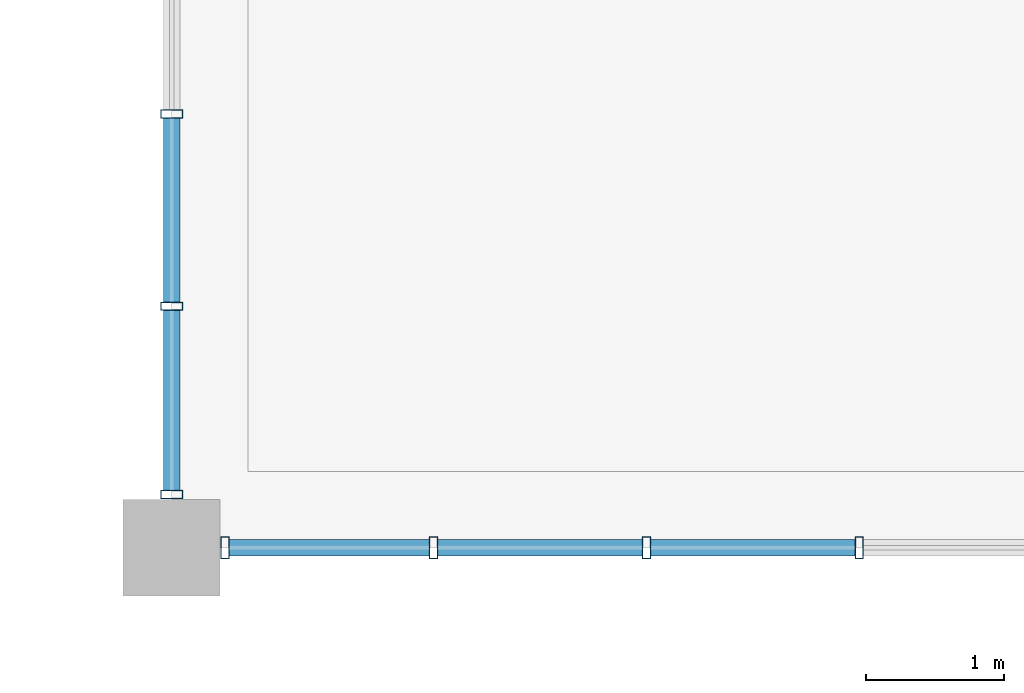
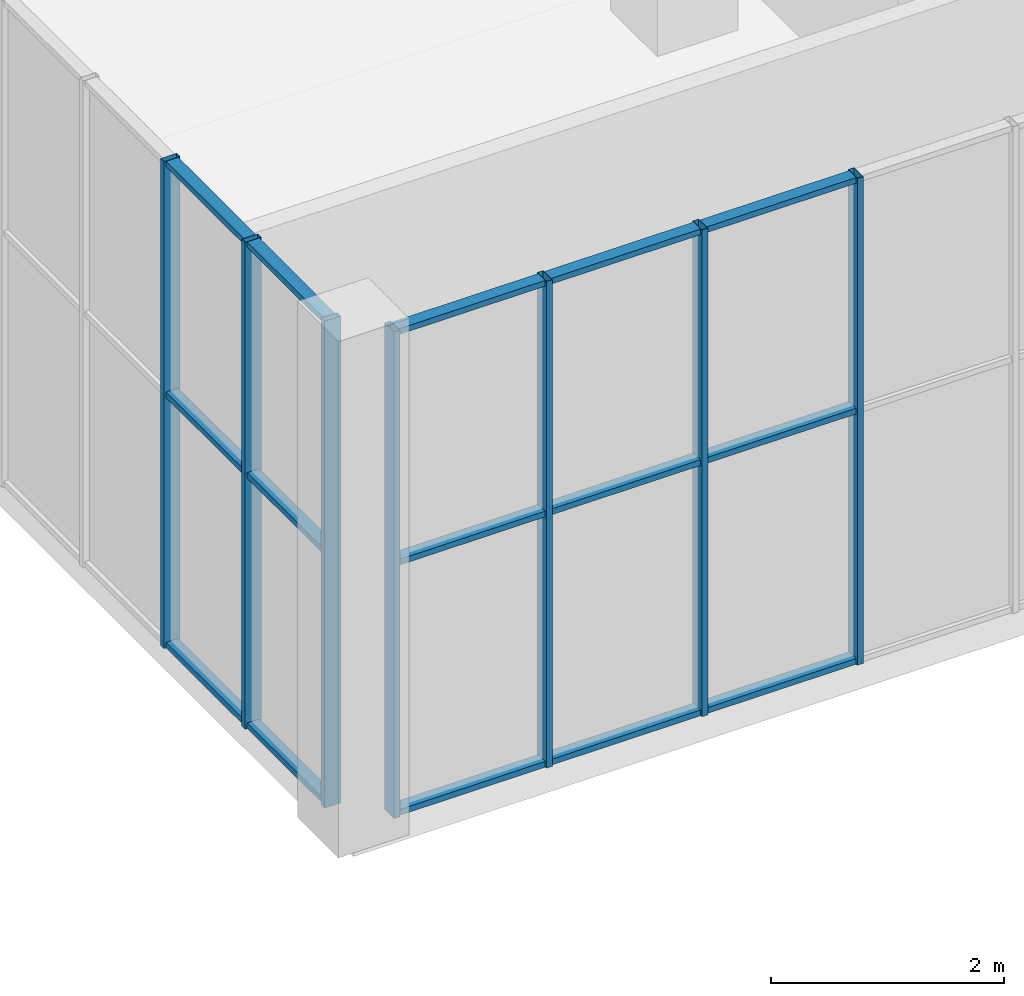
# One storey, part 39 of 91: 22 members, 2 elements without a shape of their own.
"""IFC4 building model written with IfcOpenShell, lengths in metres."""

from ifc_helpers import new_model, si_unit, direction, frame, origin, origin_2d, place, context, subcontext, project, spatial, hollow_rectangle, extrude, material, material_profile, profile_set, type_object, element, aggregate, save


model = new_model("IFC4")

# Units and contexts
model_context = context("Model", 3, precision=1e-05, world=origin(), true_north=direction((0.0, 1.0)))
body_context = subcontext(model_context, "Body", "Model", "MODEL_VIEW")
ifc_project = project(units=[si_unit("LENGTHUNIT", "METRE"), si_unit("AREAUNIT", "SQUARE_METRE"), si_unit("VOLUMEUNIT", "CUBIC_METRE"), si_unit("PLANEANGLEUNIT", "RADIAN"), si_unit("MASSUNIT", "GRAM", prefix="KILO")], contexts=[model_context])

# Site, building, storey
site_placement = place(None, origin())
site = spatial("IfcSite", under=ifc_project, at=site_placement, CompositionType="ELEMENT")
building_placement = place(site_placement, origin())
building = spatial("IfcBuilding", under=site, at=building_placement, Name="Khurvash Pelagic Aquarium", CompositionType="ELEMENT")
storey_placement = place(building_placement, origin())
storey = spatial("IfcBuildingStorey", under=building, at=storey_placement, Name="L00", CompositionType="ELEMENT", Elevation=0.0)

# Curtain wall, members
ifc_material_1 = material(Name="Anodised aluminium and low-E laminated glass", Category="aluminium")
curtain_wall_type_1 = type_object("IfcCurtainWallType", Name="CW-05", PredefinedType="USERDEFINED", material=ifc_material_1)
curtain_wall_1_placement = place(storey_placement, origin())
curtain_wall_1 = element("IfcCurtainWall", 1, at=curtain_wall_1_placement, inside=storey, type_object=curtain_wall_type_1, Name="L00 Facade Unitised Curtain Wall CW-05 0082", ObjectType="UNITISED CURTAIN WALL", PredefinedType="USERDEFINED")
ifc_material_2 = material(Name="Extruded aluminium AW-6063-T6", Category="aluminium")
ifc_material_profile_1 = material_profile(ifc_material_2, hollow_rectangle(XDim=0.06005859375, YDim=0.159912109375, WallThickness=0.00390625, at=origin_2d()), Name="CWM60X160X4")
ifc_profile_set_1 = profile_set([ifc_material_profile_1], Name="Extruded aluminium AW-6063-T6")
member_type_1 = type_object("IfcMemberType", Name="CM-02", PredefinedType="MULLION", material=ifc_profile_set_1)
member_1_placement = place(storey_placement, frame((58.800048828125, 87.18505859375, 0.0), z_axis=(0.0, 0.0, 1.0), x_axis=(0.0, -1.0, 0.0)))
member_1 = element("IfcMember", 2, at=member_1_placement, type_object=member_type_1, Name="CW-05 mullion 5", PredefinedType="MULLION", context=body_context, shape_type="SweptSolid", body=[
    extrude(hollow_rectangle(XDim=0.06005859375, YDim=0.159912109375, WallThickness=0.00390625, at=origin_2d()), origin(), (0.0, 0.0, 1.0), 5.090087890625),
])
member_2_placement = place(storey_placement, frame((58.800048828125, 85.794921875, 0.0), z_axis=(0.0, 0.0, 1.0), x_axis=(0.0, -1.0, 0.0)))
member_2 = element("IfcMember", 3, at=member_2_placement, type_object=member_type_1, Name="CW-05 mullion 6", PredefinedType="MULLION", context=body_context, shape_type="SweptSolid", body=[
    extrude(hollow_rectangle(XDim=0.06005859375, YDim=0.159912109375, WallThickness=0.00390625, at=origin_2d()), origin(), (0.0, 0.0, 1.0), 5.090087890625),
])
member_3_placement = place(storey_placement, frame((58.800048828125, 84.43505859375, 0.0), z_axis=(0.0, 0.0, 1.0), x_axis=(0.0, -1.0, 0.0)))
member_3 = element("IfcMember", 4, at=member_3_placement, type_object=member_type_1, Name="CW-05 mullion 7", PredefinedType="MULLION", context=body_context, shape_type="SweptSolid", body=[
    extrude(hollow_rectangle(XDim=0.06005859375, YDim=0.159912109375, WallThickness=0.00390625, at=origin_2d()), origin(), (0.0, 0.0, 1.0), 5.090087890625),
])

curtain_wall_type_2 = type_object("IfcCurtainWallType", Name="CW-02", PredefinedType="USERDEFINED", material=ifc_material_1)
curtain_wall_2_placement = place(storey_placement, origin())
curtain_wall_2 = element("IfcCurtainWall", 5, at=curtain_wall_2_placement, inside=storey, type_object=curtain_wall_type_2, Name="L00 Facade Unitised Curtain Wall CW-02 0083", ObjectType="UNITISED CURTAIN WALL", PredefinedType="USERDEFINED")
member_4_placement = place(storey_placement, frame((59.18505859375, 84.050048828125, 0.0), z_axis=(0.0, 0.0, 1.0), x_axis=(1.0, 0.0, 0.0)))
member_4 = element("IfcMember", 6, at=member_4_placement, type_object=member_type_1, Name="CW-02 mullion 1", PredefinedType="MULLION", context=body_context, shape_type="SweptSolid", body=[
    extrude(hollow_rectangle(XDim=0.06005859375, YDim=0.159912109375, WallThickness=0.00390625, at=origin_2d()), origin(), (0.0, 0.0, 1.0), 5.090087890625),
])
member_5_placement = place(storey_placement, frame((60.693115234375, 84.050048828125, 0.0), z_axis=(0.0, 0.0, 1.0), x_axis=(1.0, 0.0, 0.0)))
member_5 = element("IfcMember", 7, at=member_5_placement, type_object=member_type_1, Name="CW-02 mullion 2", PredefinedType="MULLION", context=body_context, shape_type="SweptSolid", body=[
    extrude(hollow_rectangle(XDim=0.06005859375, YDim=0.159912109375, WallThickness=0.00390625, at=origin_2d()), origin(), (0.0, 0.0, 1.0), 5.090087890625),
])
member_6_placement = place(storey_placement, frame((62.23095703125, 84.050048828125, 0.0), z_axis=(0.0, 0.0, 1.0), x_axis=(1.0, 0.0, 0.0)))
member_6 = element("IfcMember", 8, at=member_6_placement, type_object=member_type_1, Name="CW-02 mullion 3", PredefinedType="MULLION", context=body_context, shape_type="SweptSolid", body=[
    extrude(hollow_rectangle(XDim=0.06005859375, YDim=0.159912109375, WallThickness=0.00390625, at=origin_2d()), origin(), (0.0, 0.0, 1.0), 5.090087890625),
])
member_7_placement = place(storey_placement, frame((63.76904296875, 84.050048828125, 0.0), z_axis=(0.0, 0.0, 1.0), x_axis=(1.0, 0.0, 0.0)))
member_7 = element("IfcMember", 9, at=member_7_placement, type_object=member_type_1, Name="CW-02 mullion 4", PredefinedType="MULLION", context=body_context, shape_type="SweptSolid", body=[
    extrude(hollow_rectangle(XDim=0.06005859375, YDim=0.159912109375, WallThickness=0.00390625, at=origin_2d()), origin(), (0.0, 0.0, 1.0), 5.090087890625),
])

# Member
ifc_material_profile_2 = material_profile(ifc_material_2, hollow_rectangle(XDim=0.1201171875, YDim=0.06005859375, WallThickness=0.00390625, at=origin_2d()), Name="CWT120X60X4")
ifc_profile_set_2 = profile_set([ifc_material_profile_2], Name="Extruded aluminium AW-6063-T6")
member_type_2 = type_object("IfcMemberType", Name="CT-02", PredefinedType="USERDEFINED", material=ifc_profile_set_2)
member_8_placement = place(storey_placement, frame((58.800048828125, 87.155029296875, 0.030029296875), z_axis=(0.0, -1.0, 0.0), x_axis=(1.0, 0.0, 0.0)))
member_8 = element("IfcMember", 10, at=member_8_placement, type_object=member_type_2, Name="CW-05 transom 5.1", ObjectType="TRANSOM", PredefinedType="USERDEFINED", context=body_context, shape_type="SweptSolid", body=[
    extrude(hollow_rectangle(XDim=0.1201171875, YDim=0.06005859375, WallThickness=0.00390625, at=origin_2d()), origin(), (0.0, 0.0, 1.0), 1.330078125),
])

member_9_placement = place(storey_placement, frame((58.800048828125, 87.155029296875, 2.64697265625), z_axis=(0.0, -1.0, 0.0), x_axis=(1.0, 0.0, 0.0)))
member_9 = element("IfcMember", 11, at=member_9_placement, type_object=member_type_2, Name="CW-05 transom 5.2", ObjectType="TRANSOM", PredefinedType="USERDEFINED", context=body_context, shape_type="SweptSolid", body=[
    extrude(hollow_rectangle(XDim=0.1201171875, YDim=0.06005859375, WallThickness=0.00390625, at=origin_2d()), origin(), (0.0, 0.0, 1.0), 1.330078125),
])

member_10_placement = place(storey_placement, frame((58.800048828125, 87.155029296875, 5.06005859375), z_axis=(0.0, -1.0, 0.0), x_axis=(1.0, 0.0, 0.0)))
member_10 = element("IfcMember", 12, at=member_10_placement, type_object=member_type_2, Name="CW-05 transom 5.3", ObjectType="TRANSOM", PredefinedType="USERDEFINED", context=body_context, shape_type="SweptSolid", body=[
    extrude(hollow_rectangle(XDim=0.1201171875, YDim=0.06005859375, WallThickness=0.00390625, at=origin_2d()), origin(), (0.0, 0.0, 1.0), 1.330078125),
])

member_11_placement = place(storey_placement, frame((58.800048828125, 85.764892578125, 0.030029296875), z_axis=(0.0, -1.0, 0.0), x_axis=(1.0, 0.0, 0.0)))
member_11 = element("IfcMember", 13, at=member_11_placement, type_object=member_type_2, Name="CW-05 transom 6.1", ObjectType="TRANSOM", PredefinedType="USERDEFINED", context=body_context, shape_type="SweptSolid", body=[
    extrude(hollow_rectangle(XDim=0.1201171875, YDim=0.06005859375, WallThickness=0.00390625, at=origin_2d()), origin(), (0.0, 0.0, 1.0), 1.2998046875),
])

member_12_placement = place(storey_placement, frame((58.800048828125, 85.764892578125, 2.64697265625), z_axis=(0.0, -1.0, 0.0), x_axis=(1.0, 0.0, 0.0)))
member_12 = element("IfcMember", 14, at=member_12_placement, type_object=member_type_2, Name="CW-05 transom 6.2", ObjectType="TRANSOM", PredefinedType="USERDEFINED", context=body_context, shape_type="SweptSolid", body=[
    extrude(hollow_rectangle(XDim=0.1201171875, YDim=0.06005859375, WallThickness=0.00390625, at=origin_2d()), origin(), (0.0, 0.0, 1.0), 1.2998046875),
])

member_13_placement = place(storey_placement, frame((58.800048828125, 85.764892578125, 5.06005859375), z_axis=(0.0, -1.0, 0.0), x_axis=(1.0, 0.0, 0.0)))
member_13 = element("IfcMember", 15, at=member_13_placement, type_object=member_type_2, Name="CW-05 transom 6.3", ObjectType="TRANSOM", PredefinedType="USERDEFINED", context=body_context, shape_type="SweptSolid", body=[
    extrude(hollow_rectangle(XDim=0.1201171875, YDim=0.06005859375, WallThickness=0.00390625, at=origin_2d()), origin(), (0.0, 0.0, 1.0), 1.2998046875),
])

aggregate(curtain_wall_1, [member_1, member_2, member_3, member_8, member_9, member_10, member_11, member_12, member_13])

member_14_placement = place(storey_placement, frame((59.215087890625, 84.050048828125, 0.030029296875), z_axis=(1.0, 0.0, 0.0), x_axis=(0.0, 1.0, 0.0)))
member_14 = element("IfcMember", 16, at=member_14_placement, type_object=member_type_2, Name="CW-02 transom 1.1", ObjectType="TRANSOM", PredefinedType="USERDEFINED", context=body_context, shape_type="SweptSolid", body=[
    extrude(hollow_rectangle(XDim=0.1201171875, YDim=0.06005859375, WallThickness=0.00390625, at=origin_2d()), origin(), (0.0, 0.0, 1.0), 1.447998046875),
])

member_15_placement = place(storey_placement, frame((59.215087890625, 84.050048828125, 2.64697265625), z_axis=(1.0, 0.0, 0.0), x_axis=(0.0, 1.0, 0.0)))
member_15 = element("IfcMember", 17, at=member_15_placement, type_object=member_type_2, Name="CW-02 transom 1.2", ObjectType="TRANSOM", PredefinedType="USERDEFINED", context=body_context, shape_type="SweptSolid", body=[
    extrude(hollow_rectangle(XDim=0.1201171875, YDim=0.06005859375, WallThickness=0.00390625, at=origin_2d()), origin(), (0.0, 0.0, 1.0), 1.447998046875),
])

member_16_placement = place(storey_placement, frame((59.215087890625, 84.050048828125, 5.06005859375), z_axis=(1.0, 0.0, 0.0), x_axis=(0.0, 1.0, 0.0)))
member_16 = element("IfcMember", 18, at=member_16_placement, type_object=member_type_2, Name="CW-02 transom 1.3", ObjectType="TRANSOM", PredefinedType="USERDEFINED", context=body_context, shape_type="SweptSolid", body=[
    extrude(hollow_rectangle(XDim=0.1201171875, YDim=0.06005859375, WallThickness=0.00390625, at=origin_2d()), origin(), (0.0, 0.0, 1.0), 1.447998046875),
])

member_17_placement = place(storey_placement, frame((60.722900390625, 84.050048828125, 0.030029296875), z_axis=(1.0, 0.0, 0.0), x_axis=(0.0, 1.0, 0.0)))
member_17 = element("IfcMember", 19, at=member_17_placement, type_object=member_type_2, Name="CW-02 transom 2.1", ObjectType="TRANSOM", PredefinedType="USERDEFINED", context=body_context, shape_type="SweptSolid", body=[
    extrude(hollow_rectangle(XDim=0.1201171875, YDim=0.06005859375, WallThickness=0.00390625, at=origin_2d()), origin(), (0.0, 0.0, 1.0), 1.47802734375),
])

member_18_placement = place(storey_placement, frame((60.722900390625, 84.050048828125, 2.64697265625), z_axis=(1.0, 0.0, 0.0), x_axis=(0.0, 1.0, 0.0)))
member_18 = element("IfcMember", 20, at=member_18_placement, type_object=member_type_2, Name="CW-02 transom 2.2", ObjectType="TRANSOM", PredefinedType="USERDEFINED", context=body_context, shape_type="SweptSolid", body=[
    extrude(hollow_rectangle(XDim=0.1201171875, YDim=0.06005859375, WallThickness=0.00390625, at=origin_2d()), origin(), (0.0, 0.0, 1.0), 1.47802734375),
])

member_19_placement = place(storey_placement, frame((60.722900390625, 84.050048828125, 5.06005859375), z_axis=(1.0, 0.0, 0.0), x_axis=(0.0, 1.0, 0.0)))
member_19 = element("IfcMember", 21, at=member_19_placement, type_object=member_type_2, Name="CW-02 transom 2.3", ObjectType="TRANSOM", PredefinedType="USERDEFINED", context=body_context, shape_type="SweptSolid", body=[
    extrude(hollow_rectangle(XDim=0.1201171875, YDim=0.06005859375, WallThickness=0.00390625, at=origin_2d()), origin(), (0.0, 0.0, 1.0), 1.47802734375),
])

member_20_placement = place(storey_placement, frame((62.260986328125, 84.050048828125, 0.030029296875), z_axis=(1.0, 0.0, 0.0), x_axis=(0.0, 1.0, 0.0)))
member_20 = element("IfcMember", 22, at=member_20_placement, type_object=member_type_2, Name="CW-02 transom 3.1", ObjectType="TRANSOM", PredefinedType="USERDEFINED", context=body_context, shape_type="SweptSolid", body=[
    extrude(hollow_rectangle(XDim=0.1201171875, YDim=0.06005859375, WallThickness=0.00390625, at=origin_2d()), origin(), (0.0, 0.0, 1.0), 1.47802734375),
])

member_21_placement = place(storey_placement, frame((62.260986328125, 84.050048828125, 2.64697265625), z_axis=(1.0, 0.0, 0.0), x_axis=(0.0, 1.0, 0.0)))
member_21 = element("IfcMember", 23, at=member_21_placement, type_object=member_type_2, Name="CW-02 transom 3.2", ObjectType="TRANSOM", PredefinedType="USERDEFINED", context=body_context, shape_type="SweptSolid", body=[
    extrude(hollow_rectangle(XDim=0.1201171875, YDim=0.06005859375, WallThickness=0.00390625, at=origin_2d()), origin(), (0.0, 0.0, 1.0), 1.47802734375),
])

member_22_placement = place(storey_placement, frame((62.260986328125, 84.050048828125, 5.06005859375), z_axis=(1.0, 0.0, 0.0), x_axis=(0.0, 1.0, 0.0)))
member_22 = element("IfcMember", 24, at=member_22_placement, type_object=member_type_2, Name="CW-02 transom 3.3", ObjectType="TRANSOM", PredefinedType="USERDEFINED", context=body_context, shape_type="SweptSolid", body=[
    extrude(hollow_rectangle(XDim=0.1201171875, YDim=0.06005859375, WallThickness=0.00390625, at=origin_2d()), origin(), (0.0, 0.0, 1.0), 1.47802734375),
])

aggregate(curtain_wall_2, [member_4, member_5, member_6, member_7, member_14, member_15, member_16, member_17, member_18, member_19, member_20, member_21, member_22])

save(model, "model.ifc")
